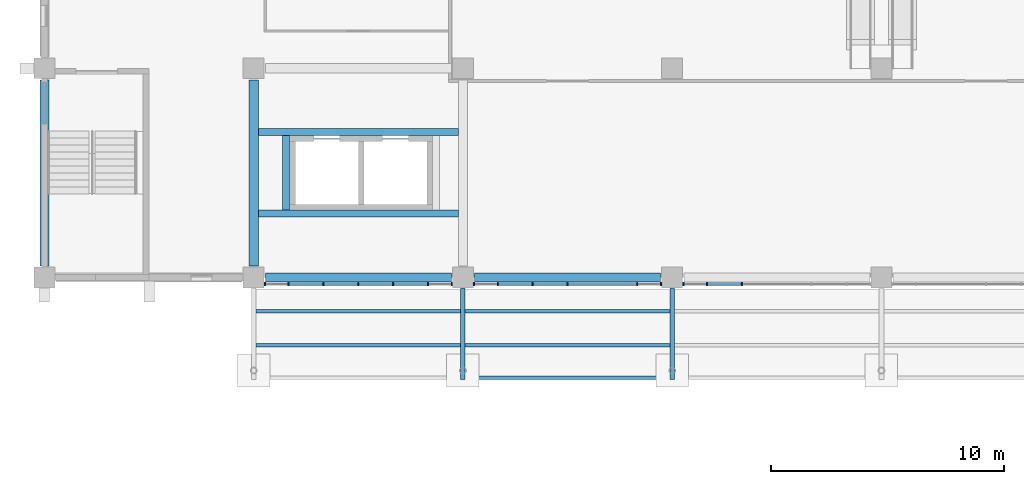
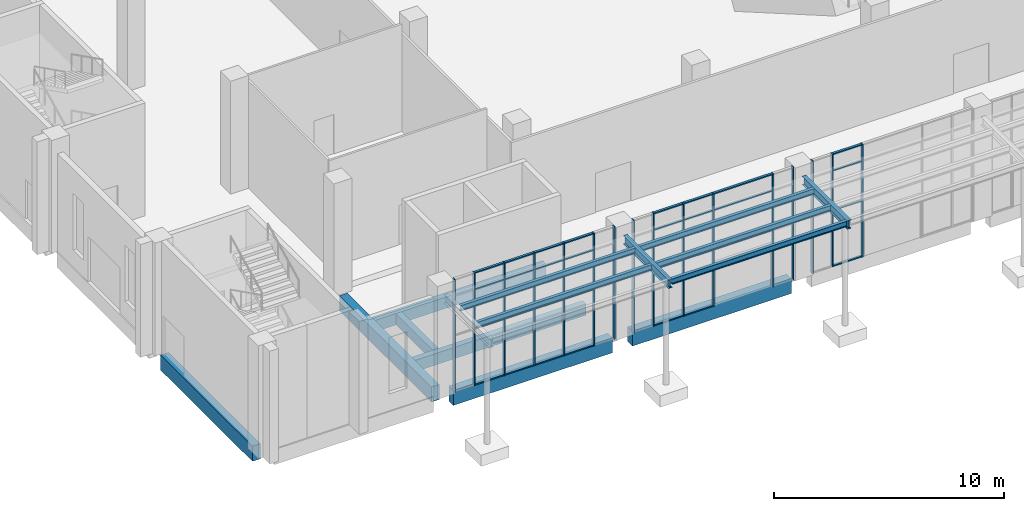
# One storey, part 9 of 86: 47 members, 14 beams, 3 elements without a shape of their own.
"""IFC4 building model written with IfcOpenShell, lengths in metres."""

import ifcopenshell
import ifcopenshell.guid

model = None  # the IFC model being written
_history = None  # IfcOwnerHistory: only IFC2X3 demands one
_inside = {}  # id of a spatial element -> (the spatial element, [elements in it])
_under = {}  # id of a project, library or spatial element -> (it, [spatial elements below it])
_declared = {}  # id of a project -> (the project, [libraries it declares])
_typed = {}  # id of a type object -> (the type object, [elements of that type])
_made_of = {}  # id of a material, layer set ... -> (it, [elements and type objects made of it])


def new_model(schema):
    """Start an empty IFC model of exactly this schema.

    Asked for "IFC4X3", IfcOpenShell would pick the latest addendum, in which some entities
    have other attributes; the version numbers below select the first issue.
    IFC2X3 requires an IfcOwnerHistory on every rooted entity: one is made here for all.
    """
    global model, _history
    if schema == "IFC4X3":
        model = ifcopenshell.file(schema_version=(4, 3, 0, 0))
    else:
        model = ifcopenshell.file(schema=schema)
    _inside.clear()
    _under.clear()
    _declared.clear()
    _typed.clear()
    _made_of.clear()
    _history = None
    if model.schema == "IFC2X3":
        org = make("IfcOrganization", Name="unknown")
        user = make(
            "IfcPersonAndOrganization",
            ThePerson=make("IfcPerson", FamilyName="unknown"),
            TheOrganization=org,
        )
        app = make(
            "IfcApplication",
            ApplicationDeveloper=org,
            Version="unknown",
            ApplicationFullName="unknown",
            ApplicationIdentifier="unknown",
        )
        _history = make(
            "IfcOwnerHistory",
            OwningUser=user,
            OwningApplication=app,
            ChangeAction="ADDED",
            CreationDate=0,
        )
    return model


def make(cls, **values):
    """One entity of the class cls with the attributes given. An attribute that is None is left unset."""
    return model.create_entity(
        cls, **{name: value for name, value in values.items() if value is not None}
    )


def rooted(cls, **values):
    """An entity with a GlobalId (a new one), such as an element, a storey or a relation."""
    return make(cls, GlobalId=ifcopenshell.guid.new(), OwnerHistory=_history, **values)


def si_unit(unit_type, name, prefix=None):
    """IfcSIUnit, for example si_unit("LENGTHUNIT", "METRE", prefix="MILLI")."""
    return make("IfcSIUnit", UnitType=unit_type, Prefix=prefix, Name=name)


def assignment(units):
    """IfcUnitAssignment: the units of a project."""
    return None if units is None else make("IfcUnitAssignment", Units=units)


def point(xyz):
    """IfcCartesianPoint."""
    return None if xyz is None else make("IfcCartesianPoint", Coordinates=xyz)


def direction(xyz):
    """IfcDirection."""
    return None if xyz is None else make("IfcDirection", DirectionRatios=xyz)


def frame(location, z_axis=None, x_axis=None):
    """IfcAxis2Placement3D, a coordinate frame: its origin and axes. An axis left out is left unset."""
    return make(
        "IfcAxis2Placement3D",
        Location=point(location),
        Axis=direction(z_axis),
        RefDirection=direction(x_axis),
    )


def frame_2d(location, x_axis=None):
    """IfcAxis2Placement2D, a coordinate frame in the plane: its origin and x axis."""
    return make(
        "IfcAxis2Placement2D", Location=point(location), RefDirection=direction(x_axis)
    )


def origin():
    """The frame at (0, 0, 0) with its axes left unset."""
    return frame((0.0, 0.0, 0.0))


def origin_2d():
    """The frame at (0, 0) in the plane with its x axis left unset."""
    return frame_2d((0.0, 0.0))


def place(relative_to, where):
    """IfcLocalPlacement: puts the frame where relative to a parent placement (None: the world)."""
    return make(
        "IfcLocalPlacement", PlacementRelTo=relative_to, RelativePlacement=where
    )


def context(
    kind, dimensions, precision=None, world=None, true_north=None, identifier=None
):
    """IfcGeometricRepresentationContext, for example the 3D "Model" context."""
    return make(
        "IfcGeometricRepresentationContext",
        ContextIdentifier=identifier,
        ContextType=kind,
        CoordinateSpaceDimension=dimensions,
        Precision=precision,
        WorldCoordinateSystem=world,
        TrueNorth=true_north,
    )


def subcontext(parent, identifier, kind, view, scale=None):
    """IfcGeometricRepresentationSubContext, for example "Body" below "Model"."""
    return make(
        "IfcGeometricRepresentationSubContext",
        ContextIdentifier=identifier,
        ContextType=kind,
        ParentContext=parent,
        TargetScale=scale,
        TargetView=view,
    )


def project(units=None, contexts=None):
    """IfcProject with its units and contexts."""
    return rooted(
        "IfcProject",
        Name="project",
        RepresentationContexts=contexts,
        UnitsInContext=assignment(units),
    )


def spatial(cls, under=None, at=None, **own):
    """A site, building, storey or space (cls), placed at a placement, below another one or the project."""
    s = rooted(cls, ObjectPlacement=at, **own)
    if under is not None:
        _under.setdefault(under.id(), (under, []))[1].append(s)
    return s


def profile(cls, at=None, kind="AREA", **sizes):
    """A parametric profile (cls). Its sizes go by their IFC names, for example OverallWidth=200.0."""
    return make(cls, ProfileType=kind, Position=at, **sizes)


def rectangle(**sizes):
    """IfcRectangleProfileDef."""
    return profile("IfcRectangleProfileDef", **sizes)


def i_section(**sizes):
    """IfcIShapeProfileDef."""
    return profile("IfcIShapeProfileDef", **sizes)


def extrude(swept, where, along, depth):
    """IfcExtrudedAreaSolid: the profile swept, set in the frame where, extruded along a direction by depth."""
    return make(
        "IfcExtrudedAreaSolid",
        SweptArea=swept,
        Position=where,
        ExtrudedDirection=direction(along),
        Depth=depth,
    )


def shape(context_of_items, identifier, shape_type, items):
    """IfcShapeRepresentation: the items that make up one representation, for example the "Body"."""
    return make(
        "IfcShapeRepresentation",
        ContextOfItems=context_of_items,
        RepresentationIdentifier=identifier,
        RepresentationType=shape_type,
        Items=items,
    )


def material(Name=None, Category=None):
    """IfcMaterial."""
    return make("IfcMaterial", Name=Name, Category=Category)


def layer(
    of_material, thickness, ventilated=None, Name=None, Category=None, Priority=None
):
    """IfcMaterialLayer: one layer of a wall or slab, of a material (None: an air gap)."""
    return make(
        "IfcMaterialLayer",
        Material=of_material,
        LayerThickness=thickness,
        IsVentilated=ventilated,
        Name=Name,
        Category=Category,
        Priority=Priority,
    )


def layer_set(layers, Name=None):
    """IfcMaterialLayerSet."""
    return make("IfcMaterialLayerSet", MaterialLayers=layers, LayerSetName=Name)


def material_profile(
    of_material, cross_section, Name=None, Category=None, Priority=None
):
    """IfcMaterialProfile: a cross section and its material."""
    return make(
        "IfcMaterialProfile",
        Name=Name,
        Material=of_material,
        Profile=cross_section,
        Priority=Priority,
        Category=Category,
    )


def profile_set(profiles, Name=None, composite=None):
    """IfcMaterialProfileSet."""
    return make(
        "IfcMaterialProfileSet",
        Name=Name,
        MaterialProfiles=profiles,
        CompositeProfile=composite,
    )


def made_of(thing, what):
    """Note that an element or type object is made of a material, layer set ...; save() writes the relation."""
    if what is not None:
        _made_of.setdefault(what.id(), (what, []))[1].append(thing)
    return thing


def type_object(cls, material=None, **own):
    """A type object (cls), such as IfcWallType, which elements share."""
    return made_of(rooted(cls, **own), material)


def element(
    cls,
    number,
    at=None,
    inside=None,
    cuts=None,
    type_object=None,
    material=None,
    context=None,
    identifier="Body",
    shape_type=None,
    held_by="IfcProductDefinitionShape",
    body=None,
    shapes=None,
    **own,
):
    """One element of the class cls, such as IfcWall. Its Tag is "e" and its number.

    at: its placement. inside: the storey or other place that contains it. cuts: it is an
    opening in that element (IfcRelVoidsElement). A single representation is given by context,
    identifier, shape_type and body (its items); several are given by shapes. held_by: the class
    of the entity that holds the representations. save() writes the other relations.
    """
    e = rooted(cls, Tag="e%d" % number, ObjectPlacement=at, **own)
    if body is not None:
        shapes = [shape(context, identifier, shape_type, body)]
    if shapes is not None:
        e.Representation = make(held_by, Representations=shapes)
    if inside is not None:
        _inside.setdefault(inside.id(), (inside, []))[1].append(e)
    if cuts is not None:
        rooted(
            "IfcRelVoidsElement", RelatingBuildingElement=cuts, RelatedOpeningElement=e
        )
    if type_object is not None:
        _typed.setdefault(type_object.id(), (type_object, []))[1].append(e)
    return made_of(e, material)


def aggregate(whole, parts):
    """IfcRelAggregates: a whole, such as a stair, and the parts it consists of."""
    return rooted("IfcRelAggregates", RelatingObject=whole, RelatedObjects=parts)


def save(model, path):
    """Write the relations noted so far, then the file.

    IfcRelAggregates (storeys below a building ...), IfcRelContainedInSpatialStructure (elements
    in a storey), IfcRelDefinesByType, IfcRelAssociatesMaterial and IfcRelDeclares: one each for
    every whole, place, type object, material and project.
    """
    for whole, parts in _under.values():
        aggregate(whole, parts)
    for where, things in _inside.values():
        rooted(
            "IfcRelContainedInSpatialStructure",
            RelatedElements=things,
            RelatingStructure=where,
        )
    for kind, things in _typed.values():
        rooted("IfcRelDefinesByType", RelatedObjects=things, RelatingType=kind)
    for what, things in _made_of.values():
        rooted("IfcRelAssociatesMaterial", RelatedObjects=things, RelatingMaterial=what)
    for by, libraries in _declared.values():
        rooted("IfcRelDeclares", RelatingContext=by, RelatedDefinitions=libraries)
    model.write(path)


model = new_model("IFC4")

# Units and contexts
model_context = context("Model", 3, precision=1e-05, world=origin(), true_north=direction((0.0, 1.0)))
body_context = subcontext(model_context, "Body", "Model", "MODEL_VIEW")
ifc_project = project(units=[si_unit("LENGTHUNIT", "METRE"), si_unit("AREAUNIT", "SQUARE_METRE"), si_unit("VOLUMEUNIT", "CUBIC_METRE"), si_unit("PLANEANGLEUNIT", "RADIAN"), si_unit("MASSUNIT", "GRAM", prefix="KILO")], contexts=[model_context])

# Site, building, storey
site_placement = place(None, origin())
site = spatial("IfcSite", under=ifc_project, at=site_placement, CompositionType="ELEMENT")
building_placement = place(site_placement, origin())
building = spatial("IfcBuilding", under=site, at=building_placement, Name="Guidao Yard Department Store", CompositionType="ELEMENT")
storey_placement = place(building_placement, origin())
storey = spatial("IfcBuildingStorey", under=building, at=storey_placement, Name="L00", CompositionType="ELEMENT", Elevation=0.0)

# Beams
ifc_material_1 = material(Name="Steel Q355B", Category="steel")
ifc_material_profile_1 = material_profile(ifc_material_1, i_section(OverallWidth=0.14990234375, OverallDepth=0.300048828125, WebThickness=0.006591796875, FlangeThickness=0.009033203125, FilletRadius=0.012939453125, at=origin_2d()), Name="HN 300x150x6.5x9")
ifc_profile_set_1 = profile_set([ifc_material_profile_1], Name="Steel Q355B")
beam_type_1 = type_object("IfcBeamType", Name="Canopy beam HN 300x150x6.5x9", PredefinedType="BEAM", material=ifc_profile_set_1)
for number, where, z_axis, x_axis, name in (
    (1, (9.10009765625, 43.5400390625, 5.300048828125), (1.0, 0.0, 0.0), (0.0, 1.0, 0.0), "Canopy joist EC-1.1"),
    (2, (9.10009765625, 42.080078125, 5.300048828125), (1.0, 0.0, 0.0), (0.0, 1.0, 0.0), "Canopy joist EC-1.2"),
):
    element("IfcBeam", number, at=place(storey_placement, frame(where, z_axis=z_axis, x_axis=x_axis)), inside=storey, type_object=beam_type_1, Name=name, PredefinedType="JOIST", context=body_context, shape_type="SweptSolid", body=[
        extrude(i_section(OverallWidth=0.14990234375, OverallDepth=0.300048828125, WebThickness=0.006591796875, FlangeThickness=0.009033203125, FilletRadius=0.012939453125, at=origin_2d()), origin(), (0.0, 0.0, 1.0), 8.7998046875),
    ])
beam_1_placement = place(storey_placement, frame((18.10009765625, 40.695068359375, 5.300048828125), z_axis=(1.0, 0.0, 0.0), x_axis=(0.0, 1.0, 0.0)))
element("IfcBeam", 3, at=beam_1_placement, inside=storey, type_object=beam_type_1, Name="Canopy edge beam EC-2", PredefinedType="BEAM", context=body_context, shape_type="SweptSolid", body=[
    extrude(i_section(OverallWidth=0.14990234375, OverallDepth=0.300048828125, WebThickness=0.006591796875, FlangeThickness=0.009033203125, FilletRadius=0.012939453125, at=origin_2d()), origin(), (0.0, 0.0, 1.0), 8.7998046875),
])
for number, where, z_axis, x_axis, name in (
    (4, (18.10009765625, 43.5400390625, 5.300048828125), (1.0, 0.0, 0.0), (0.0, 1.0, 0.0), "Canopy joist EC-2.1"),
    (5, (18.10009765625, 42.080078125, 5.300048828125), (1.0, 0.0, 0.0), (0.0, 1.0, 0.0), "Canopy joist EC-2.2"),
):
    element("IfcBeam", number, at=place(storey_placement, frame(where, z_axis=z_axis, x_axis=x_axis)), inside=storey, type_object=beam_type_1, Name=name, PredefinedType="JOIST", context=body_context, shape_type="SweptSolid", body=[
        extrude(i_section(OverallWidth=0.14990234375, OverallDepth=0.300048828125, WebThickness=0.006591796875, FlangeThickness=0.009033203125, FilletRadius=0.012939453125, at=origin_2d()), origin(), (0.0, 0.0, 1.0), 8.7998046875),
    ])
ifc_material_2 = material(Name="Concrete C40", Category="concrete")
ifc_material_profile_2 = material_profile(ifc_material_2, rectangle(XDim=0.39990234375, YDim=0.800048828125, at=origin_2d()), Name="Edge beam 400 x 800 C40")
ifc_profile_set_2 = profile_set([ifc_material_profile_2], Name="Concrete C40")
beam_type_2 = type_object("IfcBeamType", Name="Edge beam 400 x 800 C40", PredefinedType="BEAM", material=ifc_profile_set_2)
beam_2_placement = place(storey_placement, frame((9.0, 45.5, -0.39990234375), z_axis=(0.0, 1.0, 0.0), x_axis=(-1.0, 0.0, 0.0)))
element("IfcBeam", 6, at=beam_2_placement, inside=storey, type_object=beam_type_2, Name="Beam EB91", PredefinedType="BEAM", context=body_context, shape_type="SweptSolid", body=[
    extrude(rectangle(XDim=0.39990234375, YDim=0.800048828125, at=origin_2d()), origin(), (0.0, 0.0, 1.0), 8.0),
])
ifc_material_3 = material(Name="Steel Q355B", Category="steel")
ifc_material_profile_3 = material_profile(ifc_material_3, i_section(OverallWidth=0.199951171875, OverallDepth=0.449951171875, WebThickness=0.009033203125, FlangeThickness=0.013916015625, FilletRadius=0.012939453125, at=origin_2d()), Name="HN 450x200x9x14")
ifc_profile_set_3 = profile_set([ifc_material_profile_3], Name="Steel Q355B")
beam_type_3 = type_object("IfcBeamType", Name="HN 450x200x9x14", PredefinedType="BEAM", material=ifc_profile_set_3)
for number, where, z_axis, x_axis, name in (
    (7, (18.0, 40.6201171875, 5.22509765625), (0.0, 1.0, 0.0), (-1.0, 0.0, 0.0), "Canopy beam EC-2"),
    (8, (27.0, 40.6201171875, 5.22509765625), (0.0, 1.0, 0.0), (-1.0, 0.0, 0.0), "Canopy beam EC-3"),
):
    element("IfcBeam", number, at=place(storey_placement, frame(where, z_axis=z_axis, x_axis=x_axis)), inside=storey, type_object=beam_type_3, Name=name, PredefinedType="BEAM", context=body_context, shape_type="SweptSolid", body=[
        extrude(i_section(OverallWidth=0.199951171875, OverallDepth=0.449951171875, WebThickness=0.009033203125, FlangeThickness=0.013916015625, FilletRadius=0.012939453125, at=origin_2d()), origin(), (0.0, 0.0, 1.0), 3.929931640625),
    ])

# Curtain wall, members
ifc_material_4 = material(Name="Aluminium and glass", Category="aluminium")
ifc_layer = layer(ifc_material_4, 0.159912109375)
ifc_layer_set = layer_set([ifc_layer], Name="Hall front curtain wall CW2 1500 module")
curtain_wall_type = type_object("IfcCurtainWallType", Name="Hall front curtain wall CW2 1500 module", PredefinedType="NOTDEFINED", material=ifc_layer_set)
curtain_wall_1_placement = place(storey_placement, origin())
curtain_wall_1 = element("IfcCurtainWall", 9, at=curtain_wall_1_placement, inside=storey, type_object=curtain_wall_type, Name="Hall front curtain wall", PredefinedType="NOTDEFINED")
ifc_material_5 = material(Name="Aluminium 6063-T5", Category="aluminium")
ifc_material_profile_4 = material_profile(ifc_material_5, rectangle(XDim=0.06005859375, YDim=0.159912109375, at=origin_2d()), Name="Mullion M1 60 x 160 aluminium pressure plate")
ifc_profile_set_4 = profile_set([ifc_material_profile_4], Name="Aluminium 6063-T5")
member_type_1 = type_object("IfcMemberType", Name="Mullion M1 60 x 160 aluminium pressure plate", PredefinedType="MULLION", material=ifc_profile_set_4)
member_1_placement = place(storey_placement, frame((9.47998046875, 44.719970703125, 0.0), z_axis=(0.0, 0.0, 1.0), x_axis=(-1.0, 0.0, 0.0)))
member_1 = element("IfcMember", 10, at=member_1_placement, type_object=member_type_1, Name="CW-HF-L00-01 mullion 1", PredefinedType="MULLION", context=body_context, shape_type="SweptSolid", body=[
    extrude(rectangle(XDim=0.06005859375, YDim=0.159912109375, at=origin_2d()), origin(), (0.0, 0.0, 1.0), 6.0),
])
member_2_placement = place(storey_placement, frame((10.5, 44.719970703125, 0.0), z_axis=(0.0, 0.0, 1.0), x_axis=(-1.0, 0.0, 0.0)))
member_2 = element("IfcMember", 11, at=member_2_placement, type_object=member_type_1, Name="CW-HF-L00-01 mullion 2", PredefinedType="MULLION", context=body_context, shape_type="SweptSolid", body=[
    extrude(rectangle(XDim=0.06005859375, YDim=0.159912109375, at=origin_2d()), origin(), (0.0, 0.0, 1.0), 6.0),
])
member_3_placement = place(storey_placement, frame((12.0, 44.719970703125, 0.0), z_axis=(0.0, 0.0, 1.0), x_axis=(-1.0, 0.0, 0.0)))
member_3 = element("IfcMember", 12, at=member_3_placement, type_object=member_type_1, Name="CW-HF-L00-01 mullion 3", PredefinedType="MULLION", context=body_context, shape_type="SweptSolid", body=[
    extrude(rectangle(XDim=0.06005859375, YDim=0.159912109375, at=origin_2d()), origin(), (0.0, 0.0, 1.0), 6.0),
])
member_4_placement = place(storey_placement, frame((13.5, 44.719970703125, 0.0), z_axis=(0.0, 0.0, 1.0), x_axis=(-1.0, 0.0, 0.0)))
member_4 = element("IfcMember", 13, at=member_4_placement, type_object=member_type_1, Name="CW-HF-L00-01 mullion 4", PredefinedType="MULLION", context=body_context, shape_type="SweptSolid", body=[
    extrude(rectangle(XDim=0.06005859375, YDim=0.159912109375, at=origin_2d()), origin(), (0.0, 0.0, 1.0), 6.0),
])
member_5_placement = place(storey_placement, frame((15.0, 44.719970703125, 0.0), z_axis=(0.0, 0.0, 1.0), x_axis=(-1.0, 0.0, 0.0)))
member_5 = element("IfcMember", 14, at=member_5_placement, type_object=member_type_1, Name="CW-HF-L00-01 mullion 5", PredefinedType="MULLION", context=body_context, shape_type="SweptSolid", body=[
    extrude(rectangle(XDim=0.06005859375, YDim=0.159912109375, at=origin_2d()), origin(), (0.0, 0.0, 1.0), 6.0),
])
member_6_placement = place(storey_placement, frame((16.5, 44.719970703125, 0.0), z_axis=(0.0, 0.0, 1.0), x_axis=(-1.0, 0.0, 0.0)))
member_6 = element("IfcMember", 15, at=member_6_placement, type_object=member_type_1, Name="CW-HF-L00-01 mullion 6", PredefinedType="MULLION", context=body_context, shape_type="SweptSolid", body=[
    extrude(rectangle(XDim=0.06005859375, YDim=0.159912109375, at=origin_2d()), origin(), (0.0, 0.0, 1.0), 6.0),
])
member_7_placement = place(storey_placement, frame((17.52001953125, 44.719970703125, 0.0), z_axis=(0.0, 0.0, 1.0), x_axis=(-1.0, 0.0, 0.0)))
member_7 = element("IfcMember", 16, at=member_7_placement, type_object=member_type_1, Name="CW-HF-L00-01 mullion 7", PredefinedType="MULLION", context=body_context, shape_type="SweptSolid", body=[
    extrude(rectangle(XDim=0.06005859375, YDim=0.159912109375, at=origin_2d()), origin(), (0.0, 0.0, 1.0), 6.0),
])

curtain_wall_2_placement = place(storey_placement, origin())
curtain_wall_2 = element("IfcCurtainWall", 17, at=curtain_wall_2_placement, inside=storey, type_object=curtain_wall_type, Name="Hall front curtain wall", PredefinedType="NOTDEFINED")
member_8_placement = place(storey_placement, frame((18.47998046875, 44.719970703125, 0.0), z_axis=(0.0, 0.0, 1.0), x_axis=(-1.0, 0.0, 0.0)))
member_8 = element("IfcMember", 18, at=member_8_placement, type_object=member_type_1, Name="CW-HF-L00-02 mullion 1", PredefinedType="MULLION", context=body_context, shape_type="SweptSolid", body=[
    extrude(rectangle(XDim=0.06005859375, YDim=0.159912109375, at=origin_2d()), origin(), (0.0, 0.0, 1.0), 6.0),
])
member_9_placement = place(storey_placement, frame((19.5, 44.719970703125, 0.0), z_axis=(0.0, 0.0, 1.0), x_axis=(-1.0, 0.0, 0.0)))
member_9 = element("IfcMember", 19, at=member_9_placement, type_object=member_type_1, Name="CW-HF-L00-02 mullion 2", PredefinedType="MULLION", context=body_context, shape_type="SweptSolid", body=[
    extrude(rectangle(XDim=0.06005859375, YDim=0.159912109375, at=origin_2d()), origin(), (0.0, 0.0, 1.0), 6.0),
])
member_10_placement = place(storey_placement, frame((21.0, 44.719970703125, 0.0), z_axis=(0.0, 0.0, 1.0), x_axis=(-1.0, 0.0, 0.0)))
member_10 = element("IfcMember", 20, at=member_10_placement, type_object=member_type_1, Name="CW-HF-L00-02 mullion 3", PredefinedType="MULLION", context=body_context, shape_type="SweptSolid", body=[
    extrude(rectangle(XDim=0.06005859375, YDim=0.159912109375, at=origin_2d()), origin(), (0.0, 0.0, 1.0), 6.0),
])
member_11_placement = place(storey_placement, frame((22.5, 44.719970703125, 0.0), z_axis=(0.0, 0.0, 1.0), x_axis=(-1.0, 0.0, 0.0)))
member_11 = element("IfcMember", 21, at=member_11_placement, type_object=member_type_1, Name="CW-HF-L00-02 mullion 4", PredefinedType="MULLION", context=body_context, shape_type="SweptSolid", body=[
    extrude(rectangle(XDim=0.06005859375, YDim=0.159912109375, at=origin_2d()), origin(), (0.0, 0.0, 1.0), 6.0),
])
member_12_placement = place(storey_placement, frame((25.5, 44.719970703125, 0.0), z_axis=(0.0, 0.0, 1.0), x_axis=(-1.0, 0.0, 0.0)))
member_12 = element("IfcMember", 22, at=member_12_placement, type_object=member_type_1, Name="CW-HF-L00-02 mullion 5", PredefinedType="MULLION", context=body_context, shape_type="SweptSolid", body=[
    extrude(rectangle(XDim=0.06005859375, YDim=0.159912109375, at=origin_2d()), origin(), (0.0, 0.0, 1.0), 6.0),
])
member_13_placement = place(storey_placement, frame((26.52001953125, 44.719970703125, 0.0), z_axis=(0.0, 0.0, 1.0), x_axis=(-1.0, 0.0, 0.0)))
member_13 = element("IfcMember", 23, at=member_13_placement, type_object=member_type_1, Name="CW-HF-L00-02 mullion 6", PredefinedType="MULLION", context=body_context, shape_type="SweptSolid", body=[
    extrude(rectangle(XDim=0.06005859375, YDim=0.159912109375, at=origin_2d()), origin(), (0.0, 0.0, 1.0), 6.0),
])

curtain_wall_3_placement = place(storey_placement, origin())
curtain_wall_3 = element("IfcCurtainWall", 24, at=curtain_wall_3_placement, inside=storey, type_object=curtain_wall_type, Name="Hall front curtain wall", PredefinedType="NOTDEFINED")
member_14_placement = place(storey_placement, frame((27.47998046875, 44.719970703125, 0.0), z_axis=(0.0, 0.0, 1.0), x_axis=(-1.0, 0.0, 0.0)))
member_14 = element("IfcMember", 25, at=member_14_placement, type_object=member_type_1, Name="CW-HF-L00-03 mullion 1", PredefinedType="MULLION", context=body_context, shape_type="SweptSolid", body=[
    extrude(rectangle(XDim=0.06005859375, YDim=0.159912109375, at=origin_2d()), origin(), (0.0, 0.0, 1.0), 6.0),
])
member_15_placement = place(storey_placement, frame((28.5, 44.719970703125, 0.0), z_axis=(0.0, 0.0, 1.0), x_axis=(-1.0, 0.0, 0.0)))
member_15 = element("IfcMember", 26, at=member_15_placement, type_object=member_type_1, Name="CW-HF-L00-03 mullion 2", PredefinedType="MULLION", context=body_context, shape_type="SweptSolid", body=[
    extrude(rectangle(XDim=0.06005859375, YDim=0.159912109375, at=origin_2d()), origin(), (0.0, 0.0, 1.0), 6.0),
])
member_16_placement = place(storey_placement, frame((30.0, 44.719970703125, 0.0), z_axis=(0.0, 0.0, 1.0), x_axis=(-1.0, 0.0, 0.0)))
member_16 = element("IfcMember", 27, at=member_16_placement, type_object=member_type_1, Name="CW-HF-L00-03 mullion 3", PredefinedType="MULLION", context=body_context, shape_type="SweptSolid", body=[
    extrude(rectangle(XDim=0.06005859375, YDim=0.159912109375, at=origin_2d()), origin(), (0.0, 0.0, 1.0), 6.0),
])

# Beams
ifc_material_6 = material(Name="Concrete C40", Category="concrete")
ifc_material_profile_5 = material_profile(ifc_material_6, rectangle(XDim=0.300048828125, YDim=0.60009765625, at=origin_2d()), Name="Opening beam 300 x 600 C40")
ifc_profile_set_5 = profile_set([ifc_material_profile_5], Name="Concrete C40")
beam_type_4 = type_object("IfcBeamType", Name="Opening beam 300 x 600 C40", PredefinedType="BEAM", material=ifc_profile_set_5)
for number, where, z_axis, x_axis, name in (
    (28, (9.199951171875, 47.75, -0.300048828125), (1.0, 0.0, 0.0), (0.0, 1.0, 0.0), "Beam OB01"),
    (29, (9.199951171875, 51.25, -0.300048828125), (1.0, 0.0, 0.0), (0.0, 1.0, 0.0), "Beam OB02"),
):
    element("IfcBeam", number, at=place(storey_placement, frame(where, z_axis=z_axis, x_axis=x_axis)), inside=storey, type_object=beam_type_4, Name=name, PredefinedType="BEAM", context=body_context, shape_type="SweptSolid", body=[
        extrude(rectangle(XDim=0.300048828125, YDim=0.60009765625, at=origin_2d()), origin(), (0.0, 0.0, 1.0), 8.60009765625),
    ])
beam_3_placement = place(storey_placement, frame((10.39990234375, 47.89990234375, -0.300048828125), z_axis=(0.0, 1.0, 0.0), x_axis=(-1.0, 0.0, 0.0)))
element("IfcBeam", 30, at=beam_3_placement, inside=storey, type_object=beam_type_4, Name="Beam OB03", PredefinedType="BEAM", context=body_context, shape_type="SweptSolid", body=[
    extrude(rectangle(XDim=0.300048828125, YDim=0.60009765625, at=origin_2d()), origin(), (0.0, 0.0, 1.0), 3.2001953125),
])
ifc_material_7 = material(Name="Concrete C40", Category="concrete")
ifc_material_profile_6 = material_profile(ifc_material_7, rectangle(XDim=0.39990234375, YDim=0.800048828125, at=origin_2d()), Name="Spandrel beam 400 x 800 C40")
ifc_profile_set_6 = profile_set([ifc_material_profile_6], Name="Concrete C40")
beam_type_5 = type_object("IfcBeamType", Name="Spandrel beam 400 x 800 C40", PredefinedType="SPANDREL", material=ifc_profile_set_6)
for number, where, z_axis, x_axis, name in (
    (31, (9.5, 45.0, -0.39990234375), (1.0, 0.0, 0.0), (0.0, 1.0, 0.0), "Beam EB26"),
    (32, (18.5, 45.0, -0.39990234375), (1.0, 0.0, 0.0), (0.0, 1.0, 0.0), "Beam EB27"),
    (33, (0.0, 45.5, -0.39990234375), (0.0, 1.0, 0.0), (-1.0, 0.0, 0.0), "Beam EB32"),
):
    element("IfcBeam", number, at=place(storey_placement, frame(where, z_axis=z_axis, x_axis=x_axis)), inside=storey, type_object=beam_type_5, Name=name, PredefinedType="SPANDREL", context=body_context, shape_type="SweptSolid", body=[
        extrude(rectangle(XDim=0.39990234375, YDim=0.800048828125, at=origin_2d()), origin(), (0.0, 0.0, 1.0), 8.0),
    ])

# Member
ifc_material_8 = material(Name="Aluminium 6063-T5", Category="aluminium")
ifc_material_profile_7 = material_profile(ifc_material_8, rectangle(XDim=0.1201171875, YDim=0.06005859375, at=origin_2d()), Name="Transom T1 60 x 120 aluminium pressure plate")
ifc_profile_set_7 = profile_set([ifc_material_profile_7], Name="Aluminium 6063-T5")
member_type_2 = type_object("IfcMemberType", Name="Transom T1 60 x 120 aluminium pressure plate", PredefinedType="USERDEFINED", material=ifc_profile_set_7)
member_17_placement = place(storey_placement, frame((11.969970703125, 44.719970703125, 0.030029296875), z_axis=(-1.0, 0.0, 0.0), x_axis=(0.0, -1.0, 0.0)))
member_17 = element("IfcMember", 34, at=member_17_placement, type_object=member_type_2, Name="CW-HF-L00-01 transom 2.1", ObjectType="TRANSOM", PredefinedType="USERDEFINED", context=body_context, shape_type="SweptSolid", body=[
    extrude(rectangle(XDim=0.1201171875, YDim=0.06005859375, at=origin_2d()), origin(), (0.0, 0.0, 1.0), 1.43994140625),
])

member_18_placement = place(storey_placement, frame((11.969970703125, 44.719970703125, 3.0), z_axis=(-1.0, 0.0, 0.0), x_axis=(0.0, -1.0, 0.0)))
member_18 = element("IfcMember", 35, at=member_18_placement, type_object=member_type_2, Name="CW-HF-L00-01 transom 2.2", ObjectType="TRANSOM", PredefinedType="USERDEFINED", context=body_context, shape_type="SweptSolid", body=[
    extrude(rectangle(XDim=0.1201171875, YDim=0.06005859375, at=origin_2d()), origin(), (0.0, 0.0, 1.0), 1.43994140625),
])

member_19_placement = place(storey_placement, frame((11.969970703125, 44.719970703125, 5.10009765625), z_axis=(-1.0, 0.0, 0.0), x_axis=(0.0, -1.0, 0.0)))
member_19 = element("IfcMember", 36, at=member_19_placement, type_object=member_type_2, Name="CW-HF-L00-01 transom 2.3", ObjectType="TRANSOM", PredefinedType="USERDEFINED", context=body_context, shape_type="SweptSolid", body=[
    extrude(rectangle(XDim=0.1201171875, YDim=0.06005859375, at=origin_2d()), origin(), (0.0, 0.0, 1.0), 1.43994140625),
])

member_20_placement = place(storey_placement, frame((11.969970703125, 44.719970703125, 5.969970703125), z_axis=(-1.0, 0.0, 0.0), x_axis=(0.0, -1.0, 0.0)))
member_20 = element("IfcMember", 37, at=member_20_placement, type_object=member_type_2, Name="CW-HF-L00-01 transom 2.4", ObjectType="TRANSOM", PredefinedType="USERDEFINED", context=body_context, shape_type="SweptSolid", body=[
    extrude(rectangle(XDim=0.1201171875, YDim=0.06005859375, at=origin_2d()), origin(), (0.0, 0.0, 1.0), 1.43994140625),
])

member_21_placement = place(storey_placement, frame((13.469970703125, 44.719970703125, 0.030029296875), z_axis=(-1.0, 0.0, 0.0), x_axis=(0.0, -1.0, 0.0)))
member_21 = element("IfcMember", 38, at=member_21_placement, type_object=member_type_2, Name="CW-HF-L00-01 transom 3.1", ObjectType="TRANSOM", PredefinedType="USERDEFINED", context=body_context, shape_type="SweptSolid", body=[
    extrude(rectangle(XDim=0.1201171875, YDim=0.06005859375, at=origin_2d()), origin(), (0.0, 0.0, 1.0), 1.43994140625),
])

member_22_placement = place(storey_placement, frame((13.469970703125, 44.719970703125, 3.0), z_axis=(-1.0, 0.0, 0.0), x_axis=(0.0, -1.0, 0.0)))
member_22 = element("IfcMember", 39, at=member_22_placement, type_object=member_type_2, Name="CW-HF-L00-01 transom 3.2", ObjectType="TRANSOM", PredefinedType="USERDEFINED", context=body_context, shape_type="SweptSolid", body=[
    extrude(rectangle(XDim=0.1201171875, YDim=0.06005859375, at=origin_2d()), origin(), (0.0, 0.0, 1.0), 1.43994140625),
])

member_23_placement = place(storey_placement, frame((13.469970703125, 44.719970703125, 5.10009765625), z_axis=(-1.0, 0.0, 0.0), x_axis=(0.0, -1.0, 0.0)))
member_23 = element("IfcMember", 40, at=member_23_placement, type_object=member_type_2, Name="CW-HF-L00-01 transom 3.3", ObjectType="TRANSOM", PredefinedType="USERDEFINED", context=body_context, shape_type="SweptSolid", body=[
    extrude(rectangle(XDim=0.1201171875, YDim=0.06005859375, at=origin_2d()), origin(), (0.0, 0.0, 1.0), 1.43994140625),
])

member_24_placement = place(storey_placement, frame((13.469970703125, 44.719970703125, 5.969970703125), z_axis=(-1.0, 0.0, 0.0), x_axis=(0.0, -1.0, 0.0)))
member_24 = element("IfcMember", 41, at=member_24_placement, type_object=member_type_2, Name="CW-HF-L00-01 transom 3.4", ObjectType="TRANSOM", PredefinedType="USERDEFINED", context=body_context, shape_type="SweptSolid", body=[
    extrude(rectangle(XDim=0.1201171875, YDim=0.06005859375, at=origin_2d()), origin(), (0.0, 0.0, 1.0), 1.43994140625),
])

member_25_placement = place(storey_placement, frame((14.969970703125, 44.719970703125, 0.030029296875), z_axis=(-1.0, 0.0, 0.0), x_axis=(0.0, -1.0, 0.0)))
member_25 = element("IfcMember", 42, at=member_25_placement, type_object=member_type_2, Name="CW-HF-L00-01 transom 4.1", ObjectType="TRANSOM", PredefinedType="USERDEFINED", context=body_context, shape_type="SweptSolid", body=[
    extrude(rectangle(XDim=0.1201171875, YDim=0.06005859375, at=origin_2d()), origin(), (0.0, 0.0, 1.0), 1.43994140625),
])

member_26_placement = place(storey_placement, frame((14.969970703125, 44.719970703125, 3.0), z_axis=(-1.0, 0.0, 0.0), x_axis=(0.0, -1.0, 0.0)))
member_26 = element("IfcMember", 43, at=member_26_placement, type_object=member_type_2, Name="CW-HF-L00-01 transom 4.2", ObjectType="TRANSOM", PredefinedType="USERDEFINED", context=body_context, shape_type="SweptSolid", body=[
    extrude(rectangle(XDim=0.1201171875, YDim=0.06005859375, at=origin_2d()), origin(), (0.0, 0.0, 1.0), 1.43994140625),
])

member_27_placement = place(storey_placement, frame((14.969970703125, 44.719970703125, 5.10009765625), z_axis=(-1.0, 0.0, 0.0), x_axis=(0.0, -1.0, 0.0)))
member_27 = element("IfcMember", 44, at=member_27_placement, type_object=member_type_2, Name="CW-HF-L00-01 transom 4.3", ObjectType="TRANSOM", PredefinedType="USERDEFINED", context=body_context, shape_type="SweptSolid", body=[
    extrude(rectangle(XDim=0.1201171875, YDim=0.06005859375, at=origin_2d()), origin(), (0.0, 0.0, 1.0), 1.43994140625),
])

member_28_placement = place(storey_placement, frame((14.969970703125, 44.719970703125, 5.969970703125), z_axis=(-1.0, 0.0, 0.0), x_axis=(0.0, -1.0, 0.0)))
member_28 = element("IfcMember", 45, at=member_28_placement, type_object=member_type_2, Name="CW-HF-L00-01 transom 4.4", ObjectType="TRANSOM", PredefinedType="USERDEFINED", context=body_context, shape_type="SweptSolid", body=[
    extrude(rectangle(XDim=0.1201171875, YDim=0.06005859375, at=origin_2d()), origin(), (0.0, 0.0, 1.0), 1.43994140625),
])

member_29_placement = place(storey_placement, frame((16.469970703125, 44.719970703125, 0.030029296875), z_axis=(-1.0, 0.0, 0.0), x_axis=(0.0, -1.0, 0.0)))
member_29 = element("IfcMember", 46, at=member_29_placement, type_object=member_type_2, Name="CW-HF-L00-01 transom 5.1", ObjectType="TRANSOM", PredefinedType="USERDEFINED", context=body_context, shape_type="SweptSolid", body=[
    extrude(rectangle(XDim=0.1201171875, YDim=0.06005859375, at=origin_2d()), origin(), (0.0, 0.0, 1.0), 1.43994140625),
])

member_30_placement = place(storey_placement, frame((16.469970703125, 44.719970703125, 3.0), z_axis=(-1.0, 0.0, 0.0), x_axis=(0.0, -1.0, 0.0)))
member_30 = element("IfcMember", 47, at=member_30_placement, type_object=member_type_2, Name="CW-HF-L00-01 transom 5.2", ObjectType="TRANSOM", PredefinedType="USERDEFINED", context=body_context, shape_type="SweptSolid", body=[
    extrude(rectangle(XDim=0.1201171875, YDim=0.06005859375, at=origin_2d()), origin(), (0.0, 0.0, 1.0), 1.43994140625),
])

member_31_placement = place(storey_placement, frame((16.469970703125, 44.719970703125, 5.10009765625), z_axis=(-1.0, 0.0, 0.0), x_axis=(0.0, -1.0, 0.0)))
member_31 = element("IfcMember", 48, at=member_31_placement, type_object=member_type_2, Name="CW-HF-L00-01 transom 5.3", ObjectType="TRANSOM", PredefinedType="USERDEFINED", context=body_context, shape_type="SweptSolid", body=[
    extrude(rectangle(XDim=0.1201171875, YDim=0.06005859375, at=origin_2d()), origin(), (0.0, 0.0, 1.0), 1.43994140625),
])

member_32_placement = place(storey_placement, frame((16.469970703125, 44.719970703125, 5.969970703125), z_axis=(-1.0, 0.0, 0.0), x_axis=(0.0, -1.0, 0.0)))
member_32 = element("IfcMember", 49, at=member_32_placement, type_object=member_type_2, Name="CW-HF-L00-01 transom 5.4", ObjectType="TRANSOM", PredefinedType="USERDEFINED", context=body_context, shape_type="SweptSolid", body=[
    extrude(rectangle(XDim=0.1201171875, YDim=0.06005859375, at=origin_2d()), origin(), (0.0, 0.0, 1.0), 1.43994140625),
])

aggregate(curtain_wall_1, [member_1, member_2, member_3, member_4, member_5, member_6, member_7, member_17, member_18, member_19, member_20, member_21, member_22, member_23, member_24, member_25, member_26, member_27, member_28, member_29, member_30, member_31, member_32])

member_33_placement = place(storey_placement, frame((20.969970703125, 44.719970703125, 0.030029296875), z_axis=(-1.0, 0.0, 0.0), x_axis=(0.0, -1.0, 0.0)))
member_33 = element("IfcMember", 50, at=member_33_placement, type_object=member_type_2, Name="CW-HF-L00-02 transom 2.1", ObjectType="TRANSOM", PredefinedType="USERDEFINED", context=body_context, shape_type="SweptSolid", body=[
    extrude(rectangle(XDim=0.1201171875, YDim=0.06005859375, at=origin_2d()), origin(), (0.0, 0.0, 1.0), 1.43994140625),
])

member_34_placement = place(storey_placement, frame((20.969970703125, 44.719970703125, 3.0), z_axis=(-1.0, 0.0, 0.0), x_axis=(0.0, -1.0, 0.0)))
member_34 = element("IfcMember", 51, at=member_34_placement, type_object=member_type_2, Name="CW-HF-L00-02 transom 2.2", ObjectType="TRANSOM", PredefinedType="USERDEFINED", context=body_context, shape_type="SweptSolid", body=[
    extrude(rectangle(XDim=0.1201171875, YDim=0.06005859375, at=origin_2d()), origin(), (0.0, 0.0, 1.0), 1.43994140625),
])

member_35_placement = place(storey_placement, frame((20.969970703125, 44.719970703125, 5.10009765625), z_axis=(-1.0, 0.0, 0.0), x_axis=(0.0, -1.0, 0.0)))
member_35 = element("IfcMember", 52, at=member_35_placement, type_object=member_type_2, Name="CW-HF-L00-02 transom 2.3", ObjectType="TRANSOM", PredefinedType="USERDEFINED", context=body_context, shape_type="SweptSolid", body=[
    extrude(rectangle(XDim=0.1201171875, YDim=0.06005859375, at=origin_2d()), origin(), (0.0, 0.0, 1.0), 1.43994140625),
])

member_36_placement = place(storey_placement, frame((20.969970703125, 44.719970703125, 5.969970703125), z_axis=(-1.0, 0.0, 0.0), x_axis=(0.0, -1.0, 0.0)))
member_36 = element("IfcMember", 53, at=member_36_placement, type_object=member_type_2, Name="CW-HF-L00-02 transom 2.4", ObjectType="TRANSOM", PredefinedType="USERDEFINED", context=body_context, shape_type="SweptSolid", body=[
    extrude(rectangle(XDim=0.1201171875, YDim=0.06005859375, at=origin_2d()), origin(), (0.0, 0.0, 1.0), 1.43994140625),
])

member_37_placement = place(storey_placement, frame((22.469970703125, 44.719970703125, 0.030029296875), z_axis=(-1.0, 0.0, 0.0), x_axis=(0.0, -1.0, 0.0)))
member_37 = element("IfcMember", 54, at=member_37_placement, type_object=member_type_2, Name="CW-HF-L00-02 transom 3.1", ObjectType="TRANSOM", PredefinedType="USERDEFINED", context=body_context, shape_type="SweptSolid", body=[
    extrude(rectangle(XDim=0.1201171875, YDim=0.06005859375, at=origin_2d()), origin(), (0.0, 0.0, 1.0), 1.43994140625),
])

member_38_placement = place(storey_placement, frame((22.469970703125, 44.719970703125, 3.0), z_axis=(-1.0, 0.0, 0.0), x_axis=(0.0, -1.0, 0.0)))
member_38 = element("IfcMember", 55, at=member_38_placement, type_object=member_type_2, Name="CW-HF-L00-02 transom 3.2", ObjectType="TRANSOM", PredefinedType="USERDEFINED", context=body_context, shape_type="SweptSolid", body=[
    extrude(rectangle(XDim=0.1201171875, YDim=0.06005859375, at=origin_2d()), origin(), (0.0, 0.0, 1.0), 1.43994140625),
])

member_39_placement = place(storey_placement, frame((22.469970703125, 44.719970703125, 5.10009765625), z_axis=(-1.0, 0.0, 0.0), x_axis=(0.0, -1.0, 0.0)))
member_39 = element("IfcMember", 56, at=member_39_placement, type_object=member_type_2, Name="CW-HF-L00-02 transom 3.3", ObjectType="TRANSOM", PredefinedType="USERDEFINED", context=body_context, shape_type="SweptSolid", body=[
    extrude(rectangle(XDim=0.1201171875, YDim=0.06005859375, at=origin_2d()), origin(), (0.0, 0.0, 1.0), 1.43994140625),
])

member_40_placement = place(storey_placement, frame((22.469970703125, 44.719970703125, 5.969970703125), z_axis=(-1.0, 0.0, 0.0), x_axis=(0.0, -1.0, 0.0)))
member_40 = element("IfcMember", 57, at=member_40_placement, type_object=member_type_2, Name="CW-HF-L00-02 transom 3.4", ObjectType="TRANSOM", PredefinedType="USERDEFINED", context=body_context, shape_type="SweptSolid", body=[
    extrude(rectangle(XDim=0.1201171875, YDim=0.06005859375, at=origin_2d()), origin(), (0.0, 0.0, 1.0), 1.43994140625),
])

member_41_placement = place(storey_placement, frame((25.469970703125, 44.719970703125, 3.0), z_axis=(-1.0, 0.0, 0.0), x_axis=(0.0, -1.0, 0.0)))
member_41 = element("IfcMember", 58, at=member_41_placement, type_object=member_type_2, Name="CW-HF-L00-02 transom 4.2", ObjectType="TRANSOM", PredefinedType="USERDEFINED", context=body_context, shape_type="SweptSolid", body=[
    extrude(rectangle(XDim=0.1201171875, YDim=0.06005859375, at=origin_2d()), origin(), (0.0, 0.0, 1.0), 2.93994140625),
])

member_42_placement = place(storey_placement, frame((25.469970703125, 44.719970703125, 5.10009765625), z_axis=(-1.0, 0.0, 0.0), x_axis=(0.0, -1.0, 0.0)))
member_42 = element("IfcMember", 59, at=member_42_placement, type_object=member_type_2, Name="CW-HF-L00-02 transom 4.3", ObjectType="TRANSOM", PredefinedType="USERDEFINED", context=body_context, shape_type="SweptSolid", body=[
    extrude(rectangle(XDim=0.1201171875, YDim=0.06005859375, at=origin_2d()), origin(), (0.0, 0.0, 1.0), 2.93994140625),
])

member_43_placement = place(storey_placement, frame((25.469970703125, 44.719970703125, 5.969970703125), z_axis=(-1.0, 0.0, 0.0), x_axis=(0.0, -1.0, 0.0)))
member_43 = element("IfcMember", 60, at=member_43_placement, type_object=member_type_2, Name="CW-HF-L00-02 transom 4.4", ObjectType="TRANSOM", PredefinedType="USERDEFINED", context=body_context, shape_type="SweptSolid", body=[
    extrude(rectangle(XDim=0.1201171875, YDim=0.06005859375, at=origin_2d()), origin(), (0.0, 0.0, 1.0), 2.93994140625),
])

aggregate(curtain_wall_2, [member_8, member_9, member_10, member_11, member_12, member_13, member_33, member_34, member_35, member_36, member_37, member_38, member_39, member_40, member_41, member_42, member_43])

member_44_placement = place(storey_placement, frame((29.969970703125, 44.719970703125, 0.030029296875), z_axis=(-1.0, 0.0, 0.0), x_axis=(0.0, -1.0, 0.0)))
member_44 = element("IfcMember", 61, at=member_44_placement, type_object=member_type_2, Name="CW-HF-L00-03 transom 2.1", ObjectType="TRANSOM", PredefinedType="USERDEFINED", context=body_context, shape_type="SweptSolid", body=[
    extrude(rectangle(XDim=0.1201171875, YDim=0.06005859375, at=origin_2d()), origin(), (0.0, 0.0, 1.0), 1.43994140625),
])

member_45_placement = place(storey_placement, frame((29.969970703125, 44.719970703125, 3.0), z_axis=(-1.0, 0.0, 0.0), x_axis=(0.0, -1.0, 0.0)))
member_45 = element("IfcMember", 62, at=member_45_placement, type_object=member_type_2, Name="CW-HF-L00-03 transom 2.2", ObjectType="TRANSOM", PredefinedType="USERDEFINED", context=body_context, shape_type="SweptSolid", body=[
    extrude(rectangle(XDim=0.1201171875, YDim=0.06005859375, at=origin_2d()), origin(), (0.0, 0.0, 1.0), 1.43994140625),
])

member_46_placement = place(storey_placement, frame((29.969970703125, 44.719970703125, 5.10009765625), z_axis=(-1.0, 0.0, 0.0), x_axis=(0.0, -1.0, 0.0)))
member_46 = element("IfcMember", 63, at=member_46_placement, type_object=member_type_2, Name="CW-HF-L00-03 transom 2.3", ObjectType="TRANSOM", PredefinedType="USERDEFINED", context=body_context, shape_type="SweptSolid", body=[
    extrude(rectangle(XDim=0.1201171875, YDim=0.06005859375, at=origin_2d()), origin(), (0.0, 0.0, 1.0), 1.43994140625),
])

member_47_placement = place(storey_placement, frame((29.969970703125, 44.719970703125, 5.969970703125), z_axis=(-1.0, 0.0, 0.0), x_axis=(0.0, -1.0, 0.0)))
member_47 = element("IfcMember", 64, at=member_47_placement, type_object=member_type_2, Name="CW-HF-L00-03 transom 2.4", ObjectType="TRANSOM", PredefinedType="USERDEFINED", context=body_context, shape_type="SweptSolid", body=[
    extrude(rectangle(XDim=0.1201171875, YDim=0.06005859375, at=origin_2d()), origin(), (0.0, 0.0, 1.0), 1.43994140625),
])

aggregate(curtain_wall_3, [member_14, member_15, member_16, member_44, member_45, member_46, member_47])

save(model, "model.ifc")
